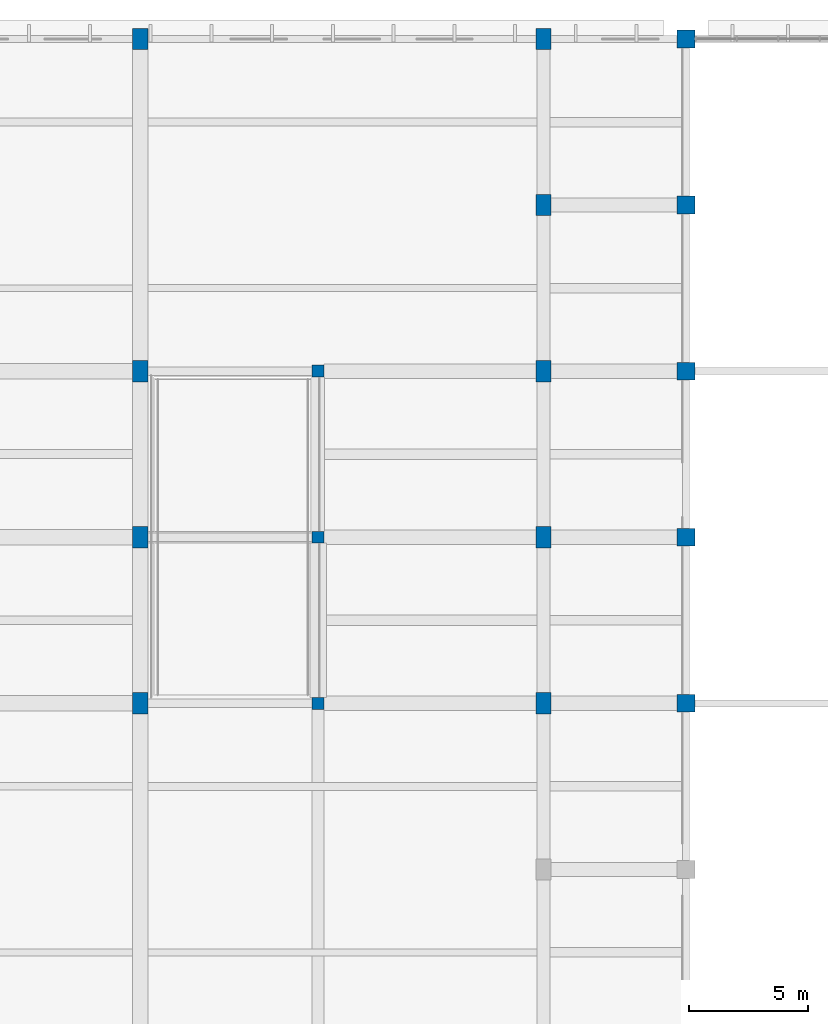
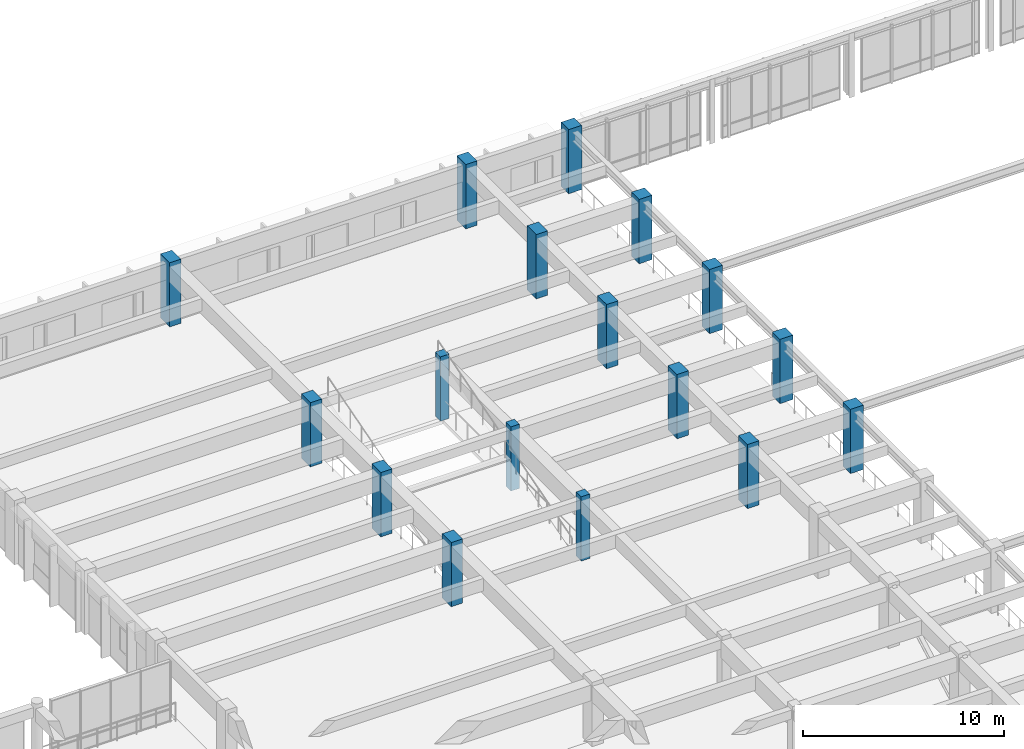
# One storey, part 8 of 98: 17 columns.
"""IFC4 building model written with IfcOpenShell, lengths in metres."""

from ifc_helpers import new_model, si_unit, direction, frame, origin, origin_2d, place, context, subcontext, project, spatial, rectangle, extrude, material, material_profile, profile_set, type_object, element, save


model = new_model("IFC4")

# Units and contexts
model_context = context("Model", 3, precision=1e-05, world=origin(), true_north=direction((0.0, 1.0)))
body_context = subcontext(model_context, "Body", "Model", "MODEL_VIEW")
ifc_project = project(units=[si_unit("LENGTHUNIT", "METRE"), si_unit("AREAUNIT", "SQUARE_METRE"), si_unit("VOLUMEUNIT", "CUBIC_METRE"), si_unit("PLANEANGLEUNIT", "RADIAN"), si_unit("MASSUNIT", "GRAM", prefix="KILO")], contexts=[model_context])

# Site, building, storey
site_placement = place(None, origin())
site = spatial("IfcSite", under=ifc_project, at=site_placement, CompositionType="ELEMENT")
building_placement = place(site_placement, origin())
building = spatial("IfcBuilding", under=site, at=building_placement, Name="Larkveld Mobility Hub", CompositionType="ELEMENT")
storey_placement = place(building_placement, frame((0.0, 0.0, 4.5)))
storey = spatial("IfcBuildingStorey", under=building, at=storey_placement, Name="L01", CompositionType="ELEMENT", Elevation=4.5)

# Columns
ifc_material_1 = material(Name="Precast concrete C50/60", Category="concrete")
ifc_material_profile_1 = material_profile(ifc_material_1, rectangle(XDim=0.64990234375, YDim=0.89990234375, at=origin_2d()), Name="RC COL 650x900")
ifc_profile_set_1 = profile_set([ifc_material_profile_1], Name="Precast concrete C50/60")
column_type_1 = type_object("IfcColumnType", Name="CL-PC6590", PredefinedType="COLUMN", material=ifc_profile_set_1)
for number, where, z_axis, x_axis, name in (
    (1, (129.0, 98.0, 0.0), (0.0, 0.0, 1.0), (1.0, 0.0, 0.0), "Column EV-X129-Y98 (L01)"),
    (2, (129.0, 105.0, 0.0), (0.0, 0.0, 1.0), (1.0, 0.0, 0.0), "Column EV-X129-Y105 (L01)"),
    (3, (129.0, 112.0, 0.0), (0.0, 0.0, 1.0), (1.0, 0.0, 0.0), "Column EV-X129-Y112 (L01)"),
    (4, (129.0, 126.0, 0.0), (0.0, 0.0, 1.0), (1.0, 0.0, 0.0), "Column EV-X129-Y126 (L01)"),
    (5, (146.0, 98.0, 0.0), (0.0, 0.0, 1.0), (1.0, 0.0, 0.0), "Column EV-X146-Y98 (L01)"),
    (6, (146.0, 105.0, 0.0), (0.0, 0.0, 1.0), (1.0, 0.0, 0.0), "Column EV-X146-Y105 (L01)"),
    (7, (146.0, 112.0, 0.0), (0.0, 0.0, 1.0), (1.0, 0.0, 0.0), "Column EV-X146-Y112 (L01)"),
    (8, (146.0, 119.0, 0.0), (0.0, 0.0, 1.0), (1.0, 0.0, 0.0), "Column EV-X146-Y119 (L01)"),
    (9, (146.0, 126.0, 0.0), (0.0, 0.0, 1.0), (1.0, 0.0, 0.0), "Column EV-X146-Y126 (L01)"),
):
    element("IfcColumn", number, at=place(storey_placement, frame(where, z_axis=z_axis, x_axis=x_axis)), inside=storey, type_object=column_type_1, Name=name, PredefinedType="COLUMN", context=body_context, shape_type="SweptSolid", body=[
        extrude(rectangle(XDim=0.64990234375, YDim=0.89990234375, at=origin_2d()), origin(), (0.0, 0.0, 1.0), 3.89990234375),
    ])
ifc_material_2 = material(Name="Concrete C40/50", Category="concrete")
ifc_material_profile_2 = material_profile(ifc_material_2, rectangle(XDim=0.5, YDim=0.5, at=origin_2d()), Name="RC COL 500x500")
ifc_profile_set_2 = profile_set([ifc_material_profile_2], Name="Concrete C40/50")
column_type_2 = type_object("IfcColumnType", Name="CL-RC500", PredefinedType="COLUMN", material=ifc_profile_set_2)
for number, where, z_axis, x_axis, name in (
    (10, (136.5, 98.0, 0.0), (0.0, 0.0, 1.0), (1.0, 0.0, 0.0), "Column EVRMP-X1365-Y98 (L01)"),
    (11, (136.5, 105.0, 0.0), (0.0, 0.0, 1.0), (1.0, 0.0, 0.0), "Column EVRMP-X1365-Y105 (L01)"),
    (12, (136.5, 112.0, 0.0), (0.0, 0.0, 1.0), (1.0, 0.0, 0.0), "Column EVRMP-X1365-Y112 (L01)"),
):
    element("IfcColumn", number, at=place(storey_placement, frame(where, z_axis=z_axis, x_axis=x_axis)), inside=storey, type_object=column_type_2, Name=name, PredefinedType="COLUMN", context=body_context, shape_type="SweptSolid", body=[
        extrude(rectangle(XDim=0.5, YDim=0.5, at=origin_2d()), origin(), (0.0, 0.0, 1.0), 3.89990234375),
    ])
ifc_material_profile_3 = material_profile(ifc_material_2, rectangle(XDim=0.75, YDim=0.75, at=origin_2d()), Name="RC COL 750x750")
ifc_profile_set_3 = profile_set([ifc_material_profile_3], Name="Concrete C40/50")
column_type_3 = type_object("IfcColumnType", Name="CL-RC750", PredefinedType="COLUMN", material=ifc_profile_set_3)
for number, where, z_axis, x_axis, name in (
    (13, (152.0, 98.0, 0.0), (0.0, 0.0, 1.0), (1.0, 0.0, 0.0), "Column EV-X152-Y98 (L01)"),
    (14, (152.0, 105.0, 0.0), (0.0, 0.0, 1.0), (1.0, 0.0, 0.0), "Column EV-X152-Y105 (L01)"),
    (15, (152.0, 112.0, 0.0), (0.0, 0.0, 1.0), (1.0, 0.0, 0.0), "Column EV-X152-Y112 (L01)"),
    (16, (152.0, 119.0, 0.0), (0.0, 0.0, 1.0), (1.0, 0.0, 0.0), "Column EV-X152-Y119 (L01)"),
    (17, (152.0, 126.0, 0.0), (0.0, 0.0, 1.0), (1.0, 0.0, 0.0), "Column EV-X152-Y126 (L01)"),
):
    element("IfcColumn", number, at=place(storey_placement, frame(where, z_axis=z_axis, x_axis=x_axis)), inside=storey, type_object=column_type_3, Name=name, PredefinedType="COLUMN", context=body_context, shape_type="SweptSolid", body=[
        extrude(rectangle(XDim=0.75, YDim=0.75, at=origin_2d()), origin(), (0.0, 0.0, 1.0), 3.89990234375),
    ])

save(model, "model.ifc")
